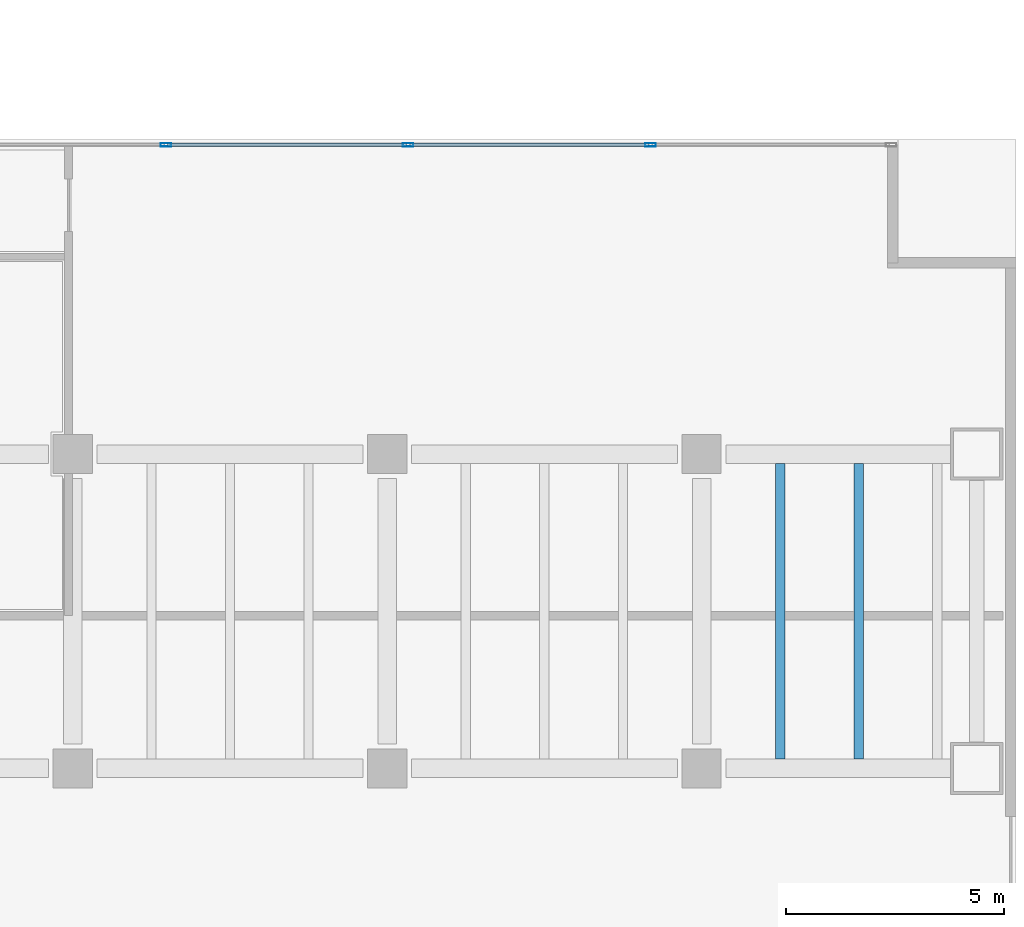
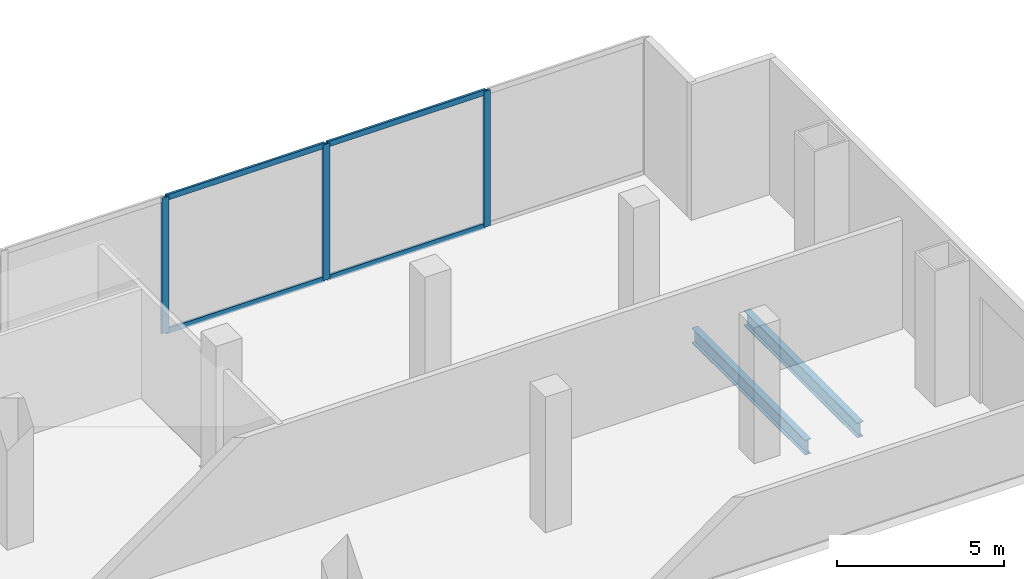
# One storey, part 6 of 17: 7 members, 2 beams, 1 element without a shape of its own.
"""IFC4 building model written with IfcOpenShell, lengths in metres."""

from ifc_helpers import new_model, si_unit, direction, frame, origin, origin_2d, place, context, subcontext, project, spatial, hollow_rectangle, i_section, extrude, material, material_profile, profile_set, type_object, element, aggregate, save


model = new_model("IFC4")

# Units and contexts
model_context = context("Model", 3, precision=1e-05, world=origin(), true_north=direction((0.0, 1.0)))
body_context = subcontext(model_context, "Body", "Model", "MODEL_VIEW")
ifc_project = project(units=[si_unit("LENGTHUNIT", "METRE"), si_unit("AREAUNIT", "SQUARE_METRE"), si_unit("VOLUMEUNIT", "CUBIC_METRE"), si_unit("PLANEANGLEUNIT", "RADIAN"), si_unit("MASSUNIT", "GRAM", prefix="KILO")], contexts=[model_context])

# Site, building, storey
site_placement = place(None, origin())
site = spatial("IfcSite", under=ifc_project, at=site_placement, CompositionType="ELEMENT")
building_placement = place(site_placement, origin())
building = spatial("IfcBuilding", under=site, at=building_placement, Name="Cobrela Telecom Tower", CompositionType="ELEMENT")
storey_placement = place(building_placement, origin())
storey = spatial("IfcBuildingStorey", under=building, at=storey_placement, Name="L00", CompositionType="ELEMENT", Elevation=0.0)

# Beams
ifc_material_1 = material(Name="Steel ASTM A992 Grade 50", Category="steel")
ifc_material_profile_1 = material_profile(ifc_material_1, i_section(OverallWidth=0.212890625, OverallDepth=0.549072265625, WebThickness=0.0146484375, FlangeThickness=0.023681640625, FilletRadius=0.013916015625, at=origin_2d()), Name="W21X93")
ifc_profile_set_1 = profile_set([ifc_material_profile_1], Name="Steel ASTM A992 Grade 50")
beam_type = type_object("IfcBeamType", Name="BM-JOIST-01", PredefinedType="JOIST", material=ifc_profile_set_1)
for number, where, z_axis, x_axis, name in (
    (1, (81.0, 14.616943359375, -0.574462890625), (0.0, 1.0, 0.0), (-1.0, 0.0, 0.0), "L00 Secondary Composite Floor Beam J101"),
    (2, (82.800048828125, 14.616943359375, -0.574462890625), (0.0, 1.0, 0.0), (-1.0, 0.0, 0.0), "L00 Secondary Composite Floor Beam J102"),
):
    element("IfcBeam", number, at=place(storey_placement, frame(where, z_axis=z_axis, x_axis=x_axis)), inside=storey, type_object=beam_type, Name=name, PredefinedType="JOIST", context=body_context, shape_type="SweptSolid", body=[
        extrude(i_section(OverallWidth=0.212890625, OverallDepth=0.549072265625, WebThickness=0.0146484375, FlangeThickness=0.023681640625, FilletRadius=0.013916015625, at=origin_2d()), origin(), (0.0, 0.0, 1.0), 6.76611328125),
    ])

# Curtain wall, members
ifc_material_2 = material(Name="Anodized Bronze Aluminium 6063-T6", Category="aluminium")
curtain_wall_type = type_object("IfcCurtainWallType", Name="CW-SYS-CONC", PredefinedType="USERDEFINED", material=ifc_material_2)
curtain_wall_placement = place(storey_placement, origin())
curtain_wall = element("IfcCurtainWall", 3, at=curtain_wall_placement, inside=storey, type_object=curtain_wall_type, Name="L00 Concourse Curtain Wall 11", ObjectType="UNITISED CURTAIN WALL", PredefinedType="USERDEFINED")
ifc_material_profile_2 = material_profile(ifc_material_2, hollow_rectangle(XDim=0.080078125, YDim=0.239990234375, WallThickness=0.0048828125, at=origin_2d()), Name="ALU 80x240x5")
ifc_profile_set_2 = profile_set([ifc_material_profile_2], Name="Anodized Bronze Aluminium 6063-T6")
member_type_1 = type_object("IfcMemberType", Name="CW-SYS-CONC-MUL", PredefinedType="MULLION", material=ifc_profile_set_2)
member_1_placement = place(storey_placement, frame((66.929931640625, 28.679931640625, 0.0), z_axis=(0.0, 0.0, 1.0), x_axis=(0.0, 1.0, 0.0)))
member_1 = element("IfcMember", 4, at=member_1_placement, type_object=member_type_1, Name="CW-CONC mullion 4", PredefinedType="MULLION", context=body_context, shape_type="SweptSolid", body=[
    extrude(hollow_rectangle(XDim=0.080078125, YDim=0.239990234375, WallThickness=0.0048828125, at=origin_2d()), origin(), (0.0, 0.0, 1.0), 4.949951171875),
])
member_2_placement = place(storey_placement, frame((72.47998046875, 28.679931640625, 0.0), z_axis=(0.0, 0.0, 1.0), x_axis=(0.0, 1.0, 0.0)))
member_2 = element("IfcMember", 5, at=member_2_placement, type_object=member_type_1, Name="CW-CONC mullion 5", PredefinedType="MULLION", context=body_context, shape_type="SweptSolid", body=[
    extrude(hollow_rectangle(XDim=0.080078125, YDim=0.239990234375, WallThickness=0.0048828125, at=origin_2d()), origin(), (0.0, 0.0, 1.0), 4.949951171875),
])
member_3_placement = place(storey_placement, frame((78.030029296875, 28.679931640625, 0.0), z_axis=(0.0, 0.0, 1.0), x_axis=(0.0, 1.0, 0.0)))
member_3 = element("IfcMember", 6, at=member_3_placement, type_object=member_type_1, Name="CW-CONC mullion 6", PredefinedType="MULLION", context=body_context, shape_type="SweptSolid", body=[
    extrude(hollow_rectangle(XDim=0.080078125, YDim=0.239990234375, WallThickness=0.0048828125, at=origin_2d()), origin(), (0.0, 0.0, 1.0), 4.949951171875),
])
ifc_material_profile_3 = material_profile(ifc_material_2, hollow_rectangle(XDim=0.080078125, YDim=0.199951171875, WallThickness=0.00390625, at=origin_2d()), Name="ALU 80x200x4")
ifc_profile_set_3 = profile_set([ifc_material_profile_3], Name="Anodized Bronze Aluminium 6063-T6")
member_type_2 = type_object("IfcMemberType", Name="CW-SYS-CONC-TRN", PredefinedType="USERDEFINED", material=ifc_profile_set_3)
member_4_placement = place(storey_placement, frame((66.969970703125, 28.679931640625, 0.0400390625), z_axis=(1.0, 0.0, 0.0), x_axis=(0.0, 1.0, 0.0)))
member_4 = element("IfcMember", 7, at=member_4_placement, type_object=member_type_2, Name="CW-CONC transom 4.1", ObjectType="TRANSOM", PredefinedType="USERDEFINED", context=body_context, shape_type="SweptSolid", body=[
    extrude(hollow_rectangle(XDim=0.080078125, YDim=0.199951171875, WallThickness=0.00390625, at=origin_2d()), origin(), (0.0, 0.0, 1.0), 5.469970703125),
])
member_5_placement = place(storey_placement, frame((66.969970703125, 28.679931640625, 4.909912109375), z_axis=(1.0, 0.0, 0.0), x_axis=(0.0, 1.0, 0.0)))
member_5 = element("IfcMember", 8, at=member_5_placement, type_object=member_type_2, Name="CW-CONC transom 4.2", ObjectType="TRANSOM", PredefinedType="USERDEFINED", context=body_context, shape_type="SweptSolid", body=[
    extrude(hollow_rectangle(XDim=0.080078125, YDim=0.199951171875, WallThickness=0.00390625, at=origin_2d()), origin(), (0.0, 0.0, 1.0), 5.469970703125),
])
member_6_placement = place(storey_placement, frame((72.52001953125, 28.679931640625, 0.0400390625), z_axis=(1.0, 0.0, 0.0), x_axis=(0.0, 1.0, 0.0)))
member_6 = element("IfcMember", 9, at=member_6_placement, type_object=member_type_2, Name="CW-CONC transom 5.1", ObjectType="TRANSOM", PredefinedType="USERDEFINED", context=body_context, shape_type="SweptSolid", body=[
    extrude(hollow_rectangle(XDim=0.080078125, YDim=0.199951171875, WallThickness=0.00390625, at=origin_2d()), origin(), (0.0, 0.0, 1.0), 5.469970703125),
])
member_7_placement = place(storey_placement, frame((72.52001953125, 28.679931640625, 4.909912109375), z_axis=(1.0, 0.0, 0.0), x_axis=(0.0, 1.0, 0.0)))
member_7 = element("IfcMember", 10, at=member_7_placement, type_object=member_type_2, Name="CW-CONC transom 5.2", ObjectType="TRANSOM", PredefinedType="USERDEFINED", context=body_context, shape_type="SweptSolid", body=[
    extrude(hollow_rectangle(XDim=0.080078125, YDim=0.199951171875, WallThickness=0.00390625, at=origin_2d()), origin(), (0.0, 0.0, 1.0), 5.469970703125),
])
aggregate(curtain_wall, [member_1, member_2, member_3, member_4, member_5, member_6, member_7])

save(model, "model.ifc")
